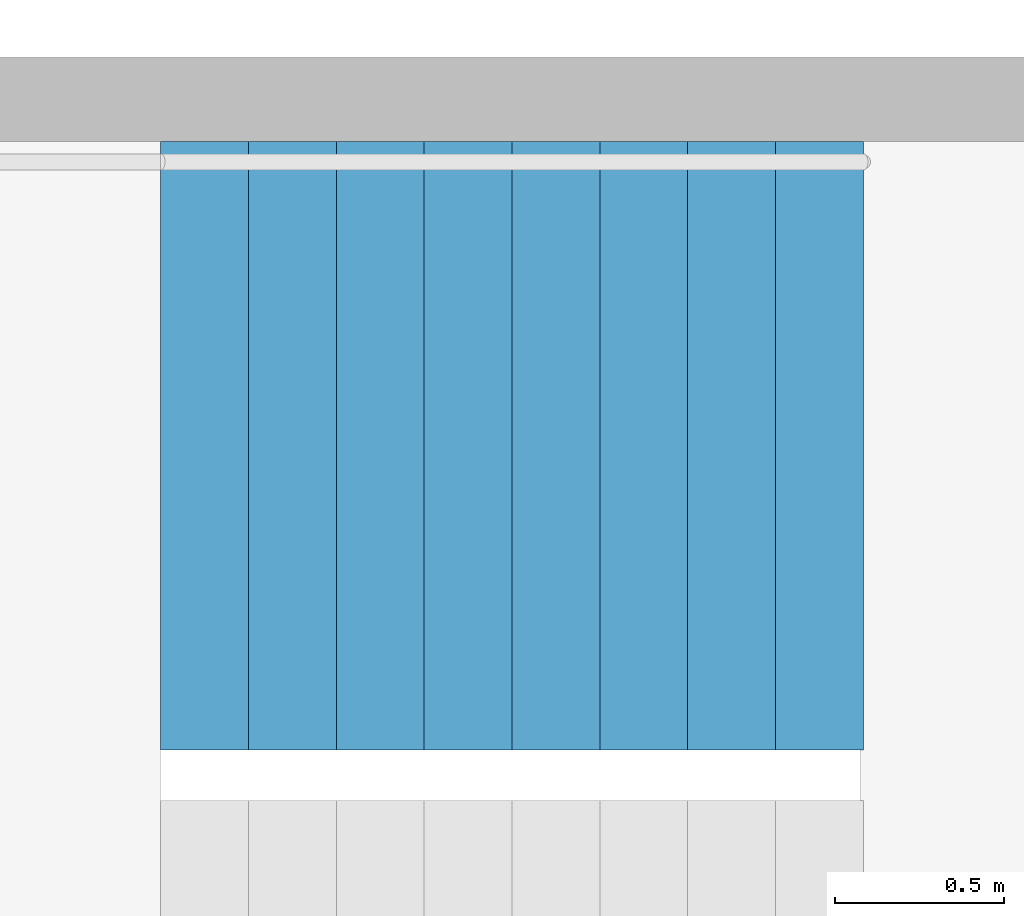
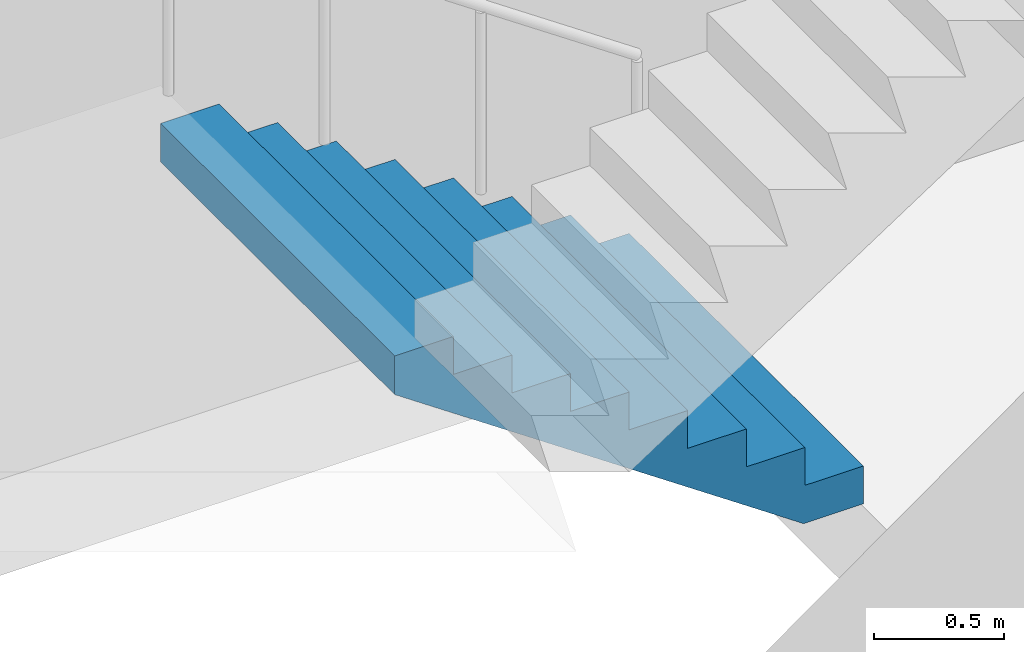
# One storey, part 18 of 30: 1 stair flight, 1 element without a shape of its own.
"""IFC4 building model written with IfcOpenShell, lengths in metres."""

from ifc_helpers import new_model, si_unit, direction, frame, origin, place, context, subcontext, project, spatial, triangles, material, type_object, element, aggregate, save


model = new_model("IFC4")

# Units and contexts
model_context = context("Model", 3, precision=1e-05, world=origin(), true_north=direction((0.0, 1.0)))
body_context = subcontext(model_context, "Body", "Model", "MODEL_VIEW")
ifc_project = project(units=[si_unit("LENGTHUNIT", "METRE"), si_unit("AREAUNIT", "SQUARE_METRE"), si_unit("VOLUMEUNIT", "CUBIC_METRE"), si_unit("PLANEANGLEUNIT", "RADIAN"), si_unit("MASSUNIT", "GRAM", prefix="KILO")], contexts=[model_context])

# Site, building, storey
site_placement = place(None, origin())
site = spatial("IfcSite", under=ifc_project, at=site_placement, CompositionType="ELEMENT")
building_placement = place(site_placement, origin())
building = spatial("IfcBuilding", under=site, at=building_placement, Name="Hakoniwa Tower and Hamabe Station Hall", CompositionType="ELEMENT")
storey_placement = place(building_placement, frame((0.0, 0.0, 137.39990234375)))
storey = spatial("IfcBuildingStorey", under=building, at=storey_placement, Name="L38", CompositionType="ELEMENT", Elevation=137.39990234375)

# Stair, stair flight
ifc_material_1 = material(Name="Concrete C40", Category="concrete")
stair_type = type_object("IfcStairType", Name="ESCAPE STAIR 1800", PredefinedType="HALF_TURN_STAIR", material=ifc_material_1)
stair_placement = place(storey_placement, origin())
stair = element("IfcStair", 1, at=stair_placement, inside=storey, type_object=stair_type, Name="Escape stair ST-2 L38", PredefinedType="HALF_TURN_STAIR")
ifc_material_2 = material(Name="Concrete C40", Category="concrete")
stair_flight_type = type_object("IfcStairFlightType", Name="STAIR FLIGHT 1800", PredefinedType="STRAIGHT", material=ifc_material_2)
stair_flight_placement = place(storey_placement, frame((-23.39990234375, -4.64990234375, 0.0), z_axis=(0.0, 0.0, 1.0), x_axis=(-1.0, 0.0, 0.0)))
stair_flight = element("IfcStairFlight", 2, at=stair_flight_placement, type_object=stair_flight_type, Name="ST-2 flight 1", NumberOfRisers=9, NumberOfTreads=8, PredefinedType="STRAIGHT", RiserHeight=0.177777778, TreadLength=0.26, context=body_context, shape_type="Tessellation", body=[
    triangles([(0.0, 0.89990234375, 0.0), (0.260009765625, 0.89990234375, 0.0), (0.265625, 0.89990234375, 0.0), (0.52001953125, 0.89990234375, 0.174072265625), (0.780029296875, 0.89990234375, 0.351806640625), (1.0400390625, 0.89990234375, 0.529541015625), (1.300048828125, 0.89990234375, 0.707275390625), (1.56005859375, 0.89990234375, 0.885009765625), (1.820068359375, 0.89990234375, 1.062744140625), (2.080078125, 0.89990234375, 1.24072265625), (2.080078125, 0.89990234375, 1.422119140625), (1.820068359375, 0.89990234375, 1.422119140625), (1.820068359375, 0.89990234375, 1.244384765625), (1.56005859375, 0.89990234375, 1.244384765625), (1.56005859375, 0.89990234375, 1.066650390625), (1.300048828125, 0.89990234375, 1.066650390625), (1.300048828125, 0.89990234375, 0.888916015625), (1.0400390625, 0.89990234375, 0.888916015625), (1.0400390625, 0.89990234375, 0.711181640625), (0.780029296875, 0.89990234375, 0.711181640625), (0.780029296875, 0.89990234375, 0.533447265625), (0.52001953125, 0.89990234375, 0.533447265625), (0.52001953125, 0.89990234375, 0.35546875), (0.265625, 0.89990234375, 0.35546875), (0.260009765625, 0.89990234375, 0.35546875), (0.260009765625, 0.89990234375, 0.177734375), (0.0, 0.89990234375, 0.177734375), (0.0, 0.06005859375, 0.0), (0.260009765625, 0.06005859375, 0.0), (0.265625, 0.06005859375, 0.0), (0.52001953125, 0.06005859375, 0.174072265625), (0.780029296875, 0.06005859375, 0.351806640625), (1.0400390625, 0.06005859375, 0.529541015625), (1.300048828125, 0.06005859375, 0.707275390625), (1.56005859375, 0.06005859375, 0.885009765625), (1.820068359375, 0.06005859375, 1.062744140625), (2.080078125, 0.06005859375, 1.24072265625), (2.080078125, 0.06005859375, 1.422119140625), (1.820068359375, 0.06005859375, 1.422119140625), (1.820068359375, 0.06005859375, 1.244384765625), (1.56005859375, 0.06005859375, 1.244384765625), (1.56005859375, 0.06005859375, 1.066650390625), (1.300048828125, 0.06005859375, 1.066650390625), (1.300048828125, 0.06005859375, 0.888916015625), (1.0400390625, 0.06005859375, 0.888916015625), (1.0400390625, 0.06005859375, 0.711181640625), (0.780029296875, 0.06005859375, 0.711181640625), (0.780029296875, 0.06005859375, 0.533447265625), (0.52001953125, 0.06005859375, 0.533447265625), (0.52001953125, 0.06005859375, 0.35546875), (0.265625, 0.06005859375, 0.35546875), (0.260009765625, 0.06005859375, 0.35546875), (0.260009765625, 0.06005859375, 0.177734375), (0.0, 0.06005859375, 0.177734375), (0.0, 0.04296875, 0.0), (0.260009765625, 0.04296875, 0.0), (0.265625, 0.04296875, 0.0), (0.52001953125, 0.04296875, 0.174072265625), (0.780029296875, 0.04296875, 0.351806640625), (1.0400390625, 0.04296875, 0.529541015625), (1.300048828125, 0.04296875, 0.707275390625), (1.56005859375, 0.04296875, 0.885009765625), (1.820068359375, 0.04296875, 1.062744140625), (2.080078125, 0.04296875, 1.24072265625), (2.080078125, 0.04296875, 1.422119140625), (1.820068359375, 0.04296875, 1.422119140625), (1.820068359375, 0.04296875, 1.244384765625), (1.56005859375, 0.04296875, 1.244384765625), (1.56005859375, 0.04296875, 1.066650390625), (1.300048828125, 0.04296875, 1.066650390625), (1.300048828125, 0.04296875, 0.888916015625), (1.0400390625, 0.04296875, 0.888916015625), (1.0400390625, 0.04296875, 0.711181640625), (0.780029296875, 0.04296875, 0.711181640625), (0.780029296875, 0.04296875, 0.533447265625), (0.52001953125, 0.04296875, 0.533447265625), (0.52001953125, 0.04296875, 0.35546875), (0.265625, 0.04296875, 0.35546875), (0.260009765625, 0.04296875, 0.35546875), (0.260009765625, 0.04296875, 0.177734375), (0.0, 0.04296875, 0.177734375), (0.0, 0.025634765625, 0.0), (0.260009765625, 0.025634765625, 0.0), (0.265625, 0.025634765625, 0.0), (0.52001953125, 0.025634765625, 0.174072265625), (0.780029296875, 0.025634765625, 0.351806640625), (1.0400390625, 0.025634765625, 0.529541015625), (1.300048828125, 0.025634765625, 0.707275390625), (1.56005859375, 0.025634765625, 0.885009765625), (1.820068359375, 0.025634765625, 1.062744140625), (2.080078125, 0.025634765625, 1.24072265625), (2.080078125, 0.025634765625, 1.422119140625), (1.820068359375, 0.025634765625, 1.422119140625), (1.820068359375, 0.025634765625, 1.244384765625), (1.56005859375, 0.025634765625, 1.244384765625), (1.56005859375, 0.025634765625, 1.066650390625), (1.300048828125, 0.025634765625, 1.066650390625), (1.300048828125, 0.025634765625, 0.888916015625), (1.0400390625, 0.025634765625, 0.888916015625), (1.0400390625, 0.025634765625, 0.711181640625), (0.780029296875, 0.025634765625, 0.711181640625), (0.780029296875, 0.025634765625, 0.533447265625), (0.52001953125, 0.025634765625, 0.533447265625), (0.52001953125, 0.025634765625, 0.35546875), (0.265625, 0.025634765625, 0.35546875), (0.260009765625, 0.025634765625, 0.35546875), (0.260009765625, 0.025634765625, 0.177734375), (0.0, 0.025634765625, 0.177734375), (0.0, 0.008544921875, 0.0), (0.260009765625, 0.008544921875, 0.0), (0.265625, 0.008544921875, 0.0), (0.52001953125, 0.008544921875, 0.174072265625), (0.780029296875, 0.008544921875, 0.351806640625), (1.0400390625, 0.008544921875, 0.529541015625), (1.300048828125, 0.008544921875, 0.707275390625), (1.56005859375, 0.008544921875, 0.885009765625), (1.820068359375, 0.008544921875, 1.062744140625), (2.080078125, 0.008544921875, 1.24072265625), (2.080078125, 0.008544921875, 1.422119140625), (1.820068359375, 0.008544921875, 1.422119140625), (1.820068359375, 0.008544921875, 1.244384765625), (1.56005859375, 0.008544921875, 1.244384765625), (1.56005859375, 0.008544921875, 1.066650390625), (1.300048828125, 0.008544921875, 1.066650390625), (1.300048828125, 0.008544921875, 0.888916015625), (1.0400390625, 0.008544921875, 0.888916015625), (1.0400390625, 0.008544921875, 0.711181640625), (0.780029296875, 0.008544921875, 0.711181640625), (0.780029296875, 0.008544921875, 0.533447265625), (0.52001953125, 0.008544921875, 0.533447265625), (0.52001953125, 0.008544921875, 0.35546875), (0.265625, 0.008544921875, 0.35546875), (0.260009765625, 0.008544921875, 0.35546875), (0.260009765625, 0.008544921875, 0.177734375), (0.0, 0.008544921875, 0.177734375), (0.0, -0.008544921875, 0.0), (0.260009765625, -0.008544921875, 0.0), (0.265625, -0.008544921875, 0.0), (0.52001953125, -0.008544921875, 0.174072265625), (0.780029296875, -0.008544921875, 0.351806640625), (1.0400390625, -0.008544921875, 0.529541015625), (1.300048828125, -0.008544921875, 0.707275390625), (1.56005859375, -0.008544921875, 0.885009765625), (1.820068359375, -0.008544921875, 1.062744140625), (2.080078125, -0.008544921875, 1.24072265625), (2.080078125, -0.008544921875, 1.422119140625), (1.820068359375, -0.008544921875, 1.422119140625), (1.820068359375, -0.008544921875, 1.244384765625), (1.56005859375, -0.008544921875, 1.244384765625), (1.56005859375, -0.008544921875, 1.066650390625), (1.300048828125, -0.008544921875, 1.066650390625), (1.300048828125, -0.008544921875, 0.888916015625), (1.0400390625, -0.008544921875, 0.888916015625), (1.0400390625, -0.008544921875, 0.711181640625), (0.780029296875, -0.008544921875, 0.711181640625), (0.780029296875, -0.008544921875, 0.533447265625), (0.52001953125, -0.008544921875, 0.533447265625), (0.52001953125, -0.008544921875, 0.35546875), (0.265625, -0.008544921875, 0.35546875), (0.260009765625, -0.008544921875, 0.35546875), (0.260009765625, -0.008544921875, 0.177734375), (0.0, -0.008544921875, 0.177734375), (0.0, -0.025634765625, 0.0), (0.260009765625, -0.025634765625, 0.0), (0.265625, -0.025634765625, 0.0), (0.52001953125, -0.025634765625, 0.174072265625), (0.780029296875, -0.025634765625, 0.351806640625), (1.0400390625, -0.025634765625, 0.529541015625), (1.300048828125, -0.025634765625, 0.707275390625), (1.56005859375, -0.025634765625, 0.885009765625), (1.820068359375, -0.025634765625, 1.062744140625), (2.080078125, -0.025634765625, 1.24072265625), (2.080078125, -0.025634765625, 1.422119140625), (1.820068359375, -0.025634765625, 1.422119140625), (1.820068359375, -0.025634765625, 1.244384765625), (1.56005859375, -0.025634765625, 1.244384765625), (1.56005859375, -0.025634765625, 1.066650390625), (1.300048828125, -0.025634765625, 1.066650390625), (1.300048828125, -0.025634765625, 0.888916015625), (1.0400390625, -0.025634765625, 0.888916015625), (1.0400390625, -0.025634765625, 0.711181640625), (0.780029296875, -0.025634765625, 0.711181640625), (0.780029296875, -0.025634765625, 0.533447265625), (0.52001953125, -0.025634765625, 0.533447265625), (0.52001953125, -0.025634765625, 0.35546875), (0.265625, -0.025634765625, 0.35546875), (0.260009765625, -0.025634765625, 0.35546875), (0.260009765625, -0.025634765625, 0.177734375), (0.0, -0.025634765625, 0.177734375), (0.0, -0.04296875, 0.0), (0.260009765625, -0.04296875, 0.0), (0.265625, -0.04296875, 0.0), (0.52001953125, -0.04296875, 0.174072265625), (0.780029296875, -0.04296875, 0.351806640625), (1.0400390625, -0.04296875, 0.529541015625), (1.300048828125, -0.04296875, 0.707275390625), (1.56005859375, -0.04296875, 0.885009765625), (1.820068359375, -0.04296875, 1.062744140625), (2.080078125, -0.04296875, 1.24072265625), (2.080078125, -0.04296875, 1.422119140625), (1.820068359375, -0.04296875, 1.422119140625), (1.820068359375, -0.04296875, 1.244384765625), (1.56005859375, -0.04296875, 1.244384765625), (1.56005859375, -0.04296875, 1.066650390625), (1.300048828125, -0.04296875, 1.066650390625), (1.300048828125, -0.04296875, 0.888916015625), (1.0400390625, -0.04296875, 0.888916015625), (1.0400390625, -0.04296875, 0.711181640625), (0.780029296875, -0.04296875, 0.711181640625), (0.780029296875, -0.04296875, 0.533447265625), (0.52001953125, -0.04296875, 0.533447265625), (0.52001953125, -0.04296875, 0.35546875), (0.265625, -0.04296875, 0.35546875), (0.260009765625, -0.04296875, 0.35546875), (0.260009765625, -0.04296875, 0.177734375), (0.0, -0.04296875, 0.177734375), (0.0, -0.06005859375, 0.0), (0.260009765625, -0.06005859375, 0.0), (0.265625, -0.06005859375, 0.0), (0.52001953125, -0.06005859375, 0.174072265625), (0.780029296875, -0.06005859375, 0.351806640625), (1.0400390625, -0.06005859375, 0.529541015625), (1.300048828125, -0.06005859375, 0.707275390625), (1.56005859375, -0.06005859375, 0.885009765625), (1.820068359375, -0.06005859375, 1.062744140625), (2.080078125, -0.06005859375, 1.24072265625), (2.080078125, -0.06005859375, 1.422119140625), (1.820068359375, -0.06005859375, 1.422119140625), (1.820068359375, -0.06005859375, 1.244384765625), (1.56005859375, -0.06005859375, 1.244384765625), (1.56005859375, -0.06005859375, 1.066650390625), (1.300048828125, -0.06005859375, 1.066650390625), (1.300048828125, -0.06005859375, 0.888916015625), (1.0400390625, -0.06005859375, 0.888916015625), (1.0400390625, -0.06005859375, 0.711181640625), (0.780029296875, -0.06005859375, 0.711181640625), (0.780029296875, -0.06005859375, 0.533447265625), (0.52001953125, -0.06005859375, 0.533447265625), (0.52001953125, -0.06005859375, 0.35546875), (0.265625, -0.06005859375, 0.35546875), (0.260009765625, -0.06005859375, 0.35546875), (0.260009765625, -0.06005859375, 0.177734375), (0.0, -0.06005859375, 0.177734375), (0.0, -0.89990234375, 0.0), (0.260009765625, -0.89990234375, 0.0), (0.265625, -0.89990234375, 0.0), (0.52001953125, -0.89990234375, 0.174072265625), (0.780029296875, -0.89990234375, 0.351806640625), (1.0400390625, -0.89990234375, 0.529541015625), (1.300048828125, -0.89990234375, 0.707275390625), (1.56005859375, -0.89990234375, 0.885009765625), (1.820068359375, -0.89990234375, 1.062744140625), (2.080078125, -0.89990234375, 1.24072265625), (2.080078125, -0.89990234375, 1.422119140625), (1.820068359375, -0.89990234375, 1.422119140625), (1.820068359375, -0.89990234375, 1.244384765625), (1.56005859375, -0.89990234375, 1.244384765625), (1.56005859375, -0.89990234375, 1.066650390625), (1.300048828125, -0.89990234375, 1.066650390625), (1.300048828125, -0.89990234375, 0.888916015625), (1.0400390625, -0.89990234375, 0.888916015625), (1.0400390625, -0.89990234375, 0.711181640625), (0.780029296875, -0.89990234375, 0.711181640625), (0.780029296875, -0.89990234375, 0.533447265625), (0.52001953125, -0.89990234375, 0.533447265625), (0.52001953125, -0.89990234375, 0.35546875), (0.265625, -0.89990234375, 0.35546875), (0.260009765625, -0.89990234375, 0.35546875), (0.260009765625, -0.89990234375, 0.177734375), (0.0, -0.89990234375, 0.177734375)], [[2, 27, 26], [245, 269, 270], [2, 1, 27], [245, 270, 244], [3, 25, 24], [246, 267, 268], [3, 26, 25], [246, 268, 269], [3, 2, 26], [246, 269, 245], [4, 24, 23], [247, 266, 267], [4, 3, 24], [247, 267, 246], [5, 22, 21], [248, 264, 265], [5, 23, 22], [248, 265, 266], [5, 4, 23], [248, 266, 247], [6, 20, 19], [249, 262, 263], [6, 21, 20], [249, 263, 264], [6, 5, 21], [249, 264, 248], [7, 18, 17], [250, 260, 261], [7, 19, 18], [250, 261, 262], [7, 6, 19], [250, 262, 249], [8, 16, 15], [251, 258, 259], [8, 17, 16], [251, 259, 260], [8, 7, 17], [251, 260, 250], [9, 14, 13], [252, 256, 257], [9, 15, 14], [252, 257, 258], [9, 8, 15], [252, 258, 251], [10, 12, 11], [253, 254, 255], [10, 13, 12], [253, 255, 256], [10, 9, 13], [253, 256, 252], [1, 2, 29], [1, 29, 28], [28, 29, 56], [28, 56, 55], [55, 56, 83], [55, 83, 82], [82, 83, 110], [82, 110, 109], [109, 110, 137], [109, 137, 136], [136, 137, 164], [136, 164, 163], [163, 164, 191], [163, 191, 190], [190, 191, 218], [190, 218, 217], [217, 218, 245], [217, 245, 244], [2, 3, 30], [2, 30, 29], [29, 30, 57], [29, 57, 56], [56, 57, 84], [56, 84, 83], [83, 84, 111], [83, 111, 110], [110, 111, 138], [110, 138, 137], [137, 138, 165], [137, 165, 164], [164, 165, 192], [164, 192, 191], [191, 192, 219], [191, 219, 218], [218, 219, 246], [218, 246, 245], [3, 4, 31], [3, 31, 30], [30, 31, 58], [30, 58, 57], [57, 58, 85], [57, 85, 84], [84, 85, 112], [84, 112, 111], [111, 112, 139], [111, 139, 138], [138, 139, 166], [138, 166, 165], [165, 166, 193], [165, 193, 192], [192, 193, 220], [192, 220, 219], [219, 220, 247], [219, 247, 246], [4, 5, 32], [4, 32, 31], [31, 32, 59], [31, 59, 58], [58, 59, 86], [58, 86, 85], [85, 86, 113], [85, 113, 112], [112, 113, 140], [112, 140, 139], [139, 140, 167], [139, 167, 166], [166, 167, 194], [166, 194, 193], [193, 194, 221], [193, 221, 220], [220, 221, 248], [220, 248, 247], [5, 6, 33], [5, 33, 32], [32, 33, 60], [32, 60, 59], [59, 60, 87], [59, 87, 86], [86, 87, 114], [86, 114, 113], [113, 114, 141], [113, 141, 140], [140, 141, 168], [140, 168, 167], [167, 168, 195], [167, 195, 194], [194, 195, 222], [194, 222, 221], [221, 222, 249], [221, 249, 248], [6, 7, 34], [6, 34, 33], [33, 34, 61], [33, 61, 60], [60, 61, 88], [60, 88, 87], [87, 88, 115], [87, 115, 114], [114, 115, 142], [114, 142, 141], [141, 142, 169], [141, 169, 168], [168, 169, 196], [168, 196, 195], [195, 196, 223], [195, 223, 222], [222, 223, 250], [222, 250, 249], [7, 8, 35], [7, 35, 34], [34, 35, 62], [34, 62, 61], [61, 62, 89], [61, 89, 88], [88, 89, 116], [88, 116, 115], [115, 116, 143], [115, 143, 142], [142, 143, 170], [142, 170, 169], [169, 170, 197], [169, 197, 196], [196, 197, 224], [196, 224, 223], [223, 224, 251], [223, 251, 250], [8, 9, 36], [8, 36, 35], [35, 36, 63], [35, 63, 62], [62, 63, 90], [62, 90, 89], [89, 90, 117], [89, 117, 116], [116, 117, 144], [116, 144, 143], [143, 144, 171], [143, 171, 170], [170, 171, 198], [170, 198, 197], [197, 198, 225], [197, 225, 224], [224, 225, 252], [224, 252, 251], [9, 10, 37], [9, 37, 36], [36, 37, 64], [36, 64, 63], [63, 64, 91], [63, 91, 90], [90, 91, 118], [90, 118, 117], [117, 118, 145], [117, 145, 144], [144, 145, 172], [144, 172, 171], [171, 172, 199], [171, 199, 198], [198, 199, 226], [198, 226, 225], [225, 226, 253], [225, 253, 252], [10, 11, 38], [10, 38, 37], [37, 38, 65], [37, 65, 64], [64, 65, 92], [64, 92, 91], [91, 92, 119], [91, 119, 118], [118, 119, 146], [118, 146, 145], [145, 146, 173], [145, 173, 172], [172, 173, 200], [172, 200, 199], [199, 200, 227], [199, 227, 226], [226, 227, 254], [226, 254, 253], [11, 12, 39], [11, 39, 38], [38, 39, 66], [38, 66, 65], [65, 66, 93], [65, 93, 92], [92, 93, 120], [92, 120, 119], [119, 120, 147], [119, 147, 146], [146, 147, 174], [146, 174, 173], [173, 174, 201], [173, 201, 200], [200, 201, 228], [200, 228, 227], [227, 228, 255], [227, 255, 254], [12, 13, 40], [12, 40, 39], [39, 40, 67], [39, 67, 66], [66, 67, 94], [66, 94, 93], [93, 94, 121], [93, 121, 120], [120, 121, 148], [120, 148, 147], [147, 148, 175], [147, 175, 174], [174, 175, 202], [174, 202, 201], [201, 202, 229], [201, 229, 228], [228, 229, 256], [228, 256, 255], [13, 14, 41], [13, 41, 40], [40, 41, 68], [40, 68, 67], [67, 68, 95], [67, 95, 94], [94, 95, 122], [94, 122, 121], [121, 122, 149], [121, 149, 148], [148, 149, 176], [148, 176, 175], [175, 176, 203], [175, 203, 202], [202, 203, 230], [202, 230, 229], [229, 230, 257], [229, 257, 256], [14, 15, 42], [14, 42, 41], [41, 42, 69], [41, 69, 68], [68, 69, 96], [68, 96, 95], [95, 96, 123], [95, 123, 122], [122, 123, 150], [122, 150, 149], [149, 150, 177], [149, 177, 176], [176, 177, 204], [176, 204, 203], [203, 204, 231], [203, 231, 230], [230, 231, 258], [230, 258, 257], [15, 16, 43], [15, 43, 42], [42, 43, 70], [42, 70, 69], [69, 70, 97], [69, 97, 96], [96, 97, 124], [96, 124, 123], [123, 124, 151], [123, 151, 150], [150, 151, 178], [150, 178, 177], [177, 178, 205], [177, 205, 204], [204, 205, 232], [204, 232, 231], [231, 232, 259], [231, 259, 258], [16, 17, 44], [16, 44, 43], [43, 44, 71], [43, 71, 70], [70, 71, 98], [70, 98, 97], [97, 98, 125], [97, 125, 124], [124, 125, 152], [124, 152, 151], [151, 152, 179], [151, 179, 178], [178, 179, 206], [178, 206, 205], [205, 206, 233], [205, 233, 232], [232, 233, 260], [232, 260, 259], [17, 18, 45], [17, 45, 44], [44, 45, 72], [44, 72, 71], [71, 72, 99], [71, 99, 98], [98, 99, 126], [98, 126, 125], [125, 126, 153], [125, 153, 152], [152, 153, 180], [152, 180, 179], [179, 180, 207], [179, 207, 206], [206, 207, 234], [206, 234, 233], [233, 234, 261], [233, 261, 260], [18, 19, 46], [18, 46, 45], [45, 46, 73], [45, 73, 72], [72, 73, 100], [72, 100, 99], [99, 100, 127], [99, 127, 126], [126, 127, 154], [126, 154, 153], [153, 154, 181], [153, 181, 180], [180, 181, 208], [180, 208, 207], [207, 208, 235], [207, 235, 234], [234, 235, 262], [234, 262, 261], [19, 20, 47], [19, 47, 46], [46, 47, 74], [46, 74, 73], [73, 74, 101], [73, 101, 100], [100, 101, 128], [100, 128, 127], [127, 128, 155], [127, 155, 154], [154, 155, 182], [154, 182, 181], [181, 182, 209], [181, 209, 208], [208, 209, 236], [208, 236, 235], [235, 236, 263], [235, 263, 262], [20, 21, 48], [20, 48, 47], [47, 48, 75], [47, 75, 74], [74, 75, 102], [74, 102, 101], [101, 102, 129], [101, 129, 128], [128, 129, 156], [128, 156, 155], [155, 156, 183], [155, 183, 182], [182, 183, 210], [182, 210, 209], [209, 210, 237], [209, 237, 236], [236, 237, 264], [236, 264, 263], [21, 22, 49], [21, 49, 48], [48, 49, 76], [48, 76, 75], [75, 76, 103], [75, 103, 102], [102, 103, 130], [102, 130, 129], [129, 130, 157], [129, 157, 156], [156, 157, 184], [156, 184, 183], [183, 184, 211], [183, 211, 210], [210, 211, 238], [210, 238, 237], [237, 238, 265], [237, 265, 264], [22, 23, 50], [22, 50, 49], [49, 50, 77], [49, 77, 76], [76, 77, 104], [76, 104, 103], [103, 104, 131], [103, 131, 130], [130, 131, 158], [130, 158, 157], [157, 158, 185], [157, 185, 184], [184, 185, 212], [184, 212, 211], [211, 212, 239], [211, 239, 238], [238, 239, 266], [238, 266, 265], [23, 24, 51], [23, 51, 50], [50, 51, 78], [50, 78, 77], [77, 78, 105], [77, 105, 104], [104, 105, 132], [104, 132, 131], [131, 132, 159], [131, 159, 158], [158, 159, 186], [158, 186, 185], [185, 186, 213], [185, 213, 212], [212, 213, 240], [212, 240, 239], [239, 240, 267], [239, 267, 266], [24, 25, 52], [24, 52, 51], [51, 52, 79], [51, 79, 78], [78, 79, 106], [78, 106, 105], [105, 106, 133], [105, 133, 132], [132, 133, 160], [132, 160, 159], [159, 160, 187], [159, 187, 186], [186, 187, 214], [186, 214, 213], [213, 214, 241], [213, 241, 240], [240, 241, 268], [240, 268, 267], [25, 26, 53], [25, 53, 52], [52, 53, 80], [52, 80, 79], [79, 80, 107], [79, 107, 106], [106, 107, 134], [106, 134, 133], [133, 134, 161], [133, 161, 160], [160, 161, 188], [160, 188, 187], [187, 188, 215], [187, 215, 214], [214, 215, 242], [214, 242, 241], [241, 242, 269], [241, 269, 268], [26, 27, 54], [26, 54, 53], [53, 54, 81], [53, 81, 80], [80, 81, 108], [80, 108, 107], [107, 108, 135], [107, 135, 134], [134, 135, 162], [134, 162, 161], [161, 162, 189], [161, 189, 188], [188, 189, 216], [188, 216, 215], [215, 216, 243], [215, 243, 242], [242, 243, 270], [242, 270, 269], [27, 1, 28], [27, 28, 54], [54, 28, 55], [54, 55, 81], [81, 55, 82], [81, 82, 108], [108, 82, 109], [108, 109, 135], [135, 109, 136], [135, 136, 162], [162, 136, 163], [162, 163, 189], [189, 163, 190], [189, 190, 216], [216, 190, 217], [216, 217, 243], [243, 217, 244], [243, 244, 270]], closed=True),
])
aggregate(stair, [stair_flight])

save(model, "model.ifc")
